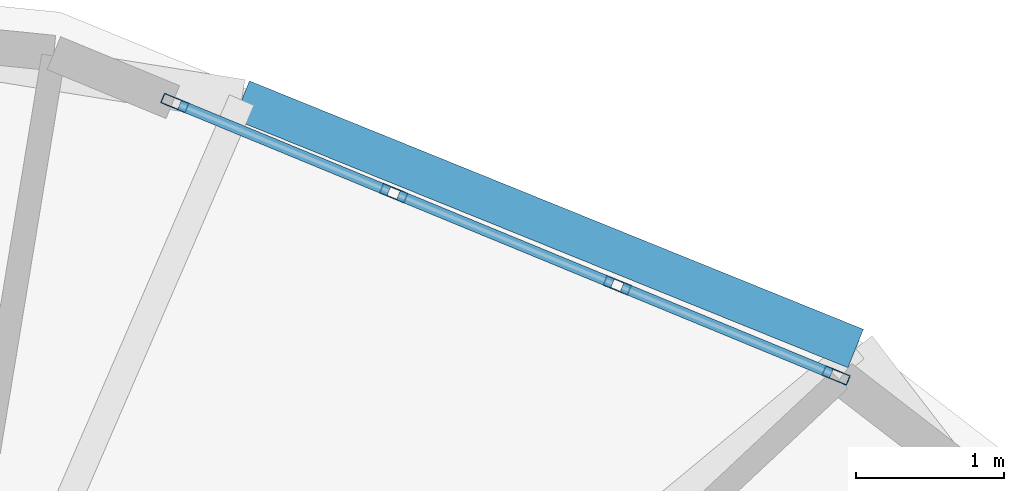
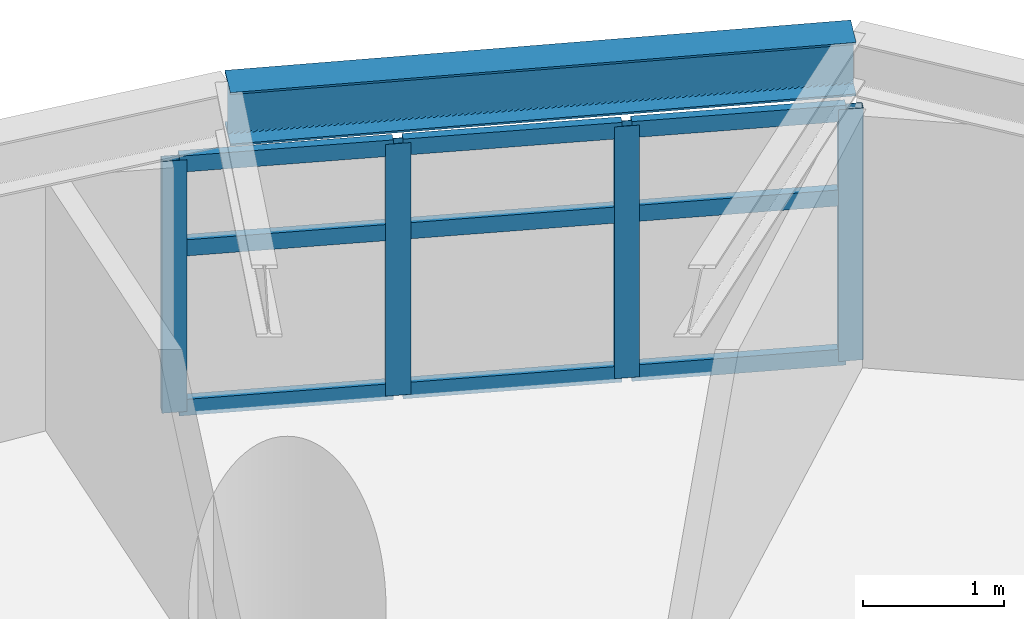
# One storey, part 7 of 18: 13 members, 1 beam, 1 element without a shape of its own.
"""IFC4 building model written with IfcOpenShell, lengths in metres."""

from ifc_helpers import new_model, si_unit, direction, frame, origin, origin_2d, place, context, subcontext, project, spatial, hollow_rectangle, i_section, extrude, material, layer, layer_set, material_profile, profile_set, type_object, element, aggregate, save


model = new_model("IFC4")

# Units and contexts
model_context = context("Model", 3, precision=1e-05, world=origin(), true_north=direction((0.0, 1.0)))
body_context = subcontext(model_context, "Body", "Model", "MODEL_VIEW")
ifc_project = project(units=[si_unit("LENGTHUNIT", "METRE"), si_unit("AREAUNIT", "SQUARE_METRE"), si_unit("VOLUMEUNIT", "CUBIC_METRE"), si_unit("PLANEANGLEUNIT", "RADIAN"), si_unit("MASSUNIT", "GRAM", prefix="KILO")], contexts=[model_context])

# Site, building, storey
site_placement = place(None, origin())
site = spatial("IfcSite", under=ifc_project, at=site_placement, CompositionType="ELEMENT")
building_placement = place(site_placement, origin())
building = spatial("IfcBuilding", under=site, at=building_placement, Name="Cununo Teusaquillo Station Towers", CompositionType="ELEMENT")
storey_placement = place(building_placement, frame((0.0, 0.0, 110.889892578125)))
storey = spatial("IfcBuildingStorey", under=building, at=storey_placement, Name="L35", CompositionType="ELEMENT", Elevation=110.889892578125)

# Beam
ifc_material_1 = material(Name="Steel ASTM A572 Grade 50", Category="steel")
ifc_material_profile_1 = material_profile(ifc_material_1, i_section(OverallWidth=0.280029296875, OverallDepth=0.462890625, WebThickness=0.0107421875, FlangeThickness=0.017333984375, FilletRadius=0.013916015625, at=origin_2d()), Name="W18X76")
ifc_profile_set_1 = profile_set([ifc_material_profile_1], Name="Steel ASTM A572 Grade 50")
beam_type = type_object("IfcBeamType", Name="BM-RING-Z2", PredefinedType="SPANDREL", material=ifc_profile_set_1)
beam_placement = place(storey_placement, frame((63.9111328125, 39.341064453125, 2.438720703125), z_axis=(-0.927007712072, 0.375042266631, 0.0), x_axis=(-0.375042266631, -0.927007712072, 0.0)))
element("IfcBeam", 1, at=beam_placement, inside=storey, type_object=beam_type, Name="L35 Tower B Spandrel Ring Beam 02", PredefinedType="SPANDREL", context=body_context, shape_type="SweptSolid", body=[
    extrude(i_section(OverallWidth=0.280029296875, OverallDepth=0.462890625, WebThickness=0.0107421875, FlangeThickness=0.017333984375, FilletRadius=0.013916015625, at=origin_2d()), origin(), (0.0, 0.0, 1.0), 4.480712890625),
])

# Curtain wall, members
ifc_material_2 = material(Name="Ceramic-fritted dark low-E double glazing", Category="glass")
ifc_layer = layer(ifc_material_2, 0.179931640625)
ifc_layer_set = layer_set([ifc_layer], Name="Ceramic-fritted dark low-E double glazing")
curtain_wall_type = type_object("IfcCurtainWallType", Name="CW-SYS-04", PredefinedType="USERDEFINED", material=ifc_layer_set)
curtain_wall_placement = place(storey_placement, origin())
curtain_wall = element("IfcCurtainWall", 2, at=curtain_wall_placement, inside=storey, type_object=curtain_wall_type, Name="L35 Tower B Facade Curtain Wall C01", ObjectType="FRITTED GLAZING", PredefinedType="USERDEFINED")
ifc_material_3 = material(Name="Anodised dark bronze aluminium EN AW-6063-T6", Category="aluminium")
ifc_material_profile_2 = material_profile(ifc_material_3, hollow_rectangle(XDim=0.070068359375, YDim=0.179931640625, WallThickness=0.00390625, at=origin_2d()), Name="CW-MULL-70x180")
ifc_profile_set_2 = profile_set([ifc_material_profile_2], Name="Anodised dark bronze aluminium EN AW-6063-T6")
member_type_1 = type_object("IfcMemberType", Name="CWM-180", PredefinedType="MULLION", material=ifc_profile_set_2)
member_1_placement = place(storey_placement, frame((59.3056640625, 41.001953125, 0.0), z_axis=(0.0, 0.0, 1.0), x_axis=(0.381030560176, 0.924562443652, 0.0)))
member_1 = element("IfcMember", 3, at=member_1_placement, type_object=member_type_1, Name="CW-04 mullion 1", PredefinedType="MULLION", context=body_context, shape_type="SweptSolid", body=[
    extrude(hollow_rectangle(XDim=0.070068359375, YDim=0.179931640625, WallThickness=0.00390625, at=origin_2d()), origin(), (0.0, 0.0, 1.0), 2.17919921875),
])
member_2_placement = place(storey_placement, frame((60.785888671875, 40.39208984375, 0.0), z_axis=(0.0, 0.0, 1.0), x_axis=(0.381030560176, 0.924562443652, 0.0)))
member_2 = element("IfcMember", 4, at=member_2_placement, type_object=member_type_1, Name="CW-04 mullion 2", PredefinedType="MULLION", context=body_context, shape_type="SweptSolid", body=[
    extrude(hollow_rectangle(XDim=0.070068359375, YDim=0.179931640625, WallThickness=0.00390625, at=origin_2d()), origin(), (0.0, 0.0, 1.0), 2.17919921875),
])
member_3_placement = place(storey_placement, frame((62.298583984375, 39.7685546875, 0.0), z_axis=(0.0, 0.0, 1.0), x_axis=(0.381030560176, 0.924562443652, 0.0)))
member_3 = element("IfcMember", 5, at=member_3_placement, type_object=member_type_1, Name="CW-04 mullion 3", PredefinedType="MULLION", context=body_context, shape_type="SweptSolid", body=[
    extrude(hollow_rectangle(XDim=0.070068359375, YDim=0.179931640625, WallThickness=0.00390625, at=origin_2d()), origin(), (0.0, 0.0, 1.0), 2.17919921875),
])
member_4_placement = place(storey_placement, frame((63.77880859375, 39.158447265625, 0.0), z_axis=(0.0, 0.0, 1.0), x_axis=(0.381030560176, 0.924562443652, 0.0)))
member_4 = element("IfcMember", 6, at=member_4_placement, type_object=member_type_1, Name="CW-04 mullion 4", PredefinedType="MULLION", context=body_context, shape_type="SweptSolid", body=[
    extrude(hollow_rectangle(XDim=0.070068359375, YDim=0.179931640625, WallThickness=0.00390625, at=origin_2d()), origin(), (0.0, 0.0, 1.0), 2.17919921875),
])
ifc_material_4 = material(Name="Anodised dark bronze aluminium EN AW-6063-T6", Category="aluminium")
ifc_material_profile_3 = material_profile(ifc_material_4, hollow_rectangle(XDim=0.070068359375, YDim=0.139892578125, WallThickness=0.00390625, at=origin_2d()), Name="CW-TRAN-70x140")
ifc_profile_set_3 = profile_set([ifc_material_profile_3], Name="Anodised dark bronze aluminium EN AW-6063-T6")
member_type_2 = type_object("IfcMemberType", Name="CWT-140", PredefinedType="USERDEFINED", material=ifc_profile_set_3)
member_5_placement = place(storey_placement, frame((59.337890625, 40.98876953125, 0.03515625), z_axis=(0.924532726965, -0.381102659097, 0.0), x_axis=(0.381102659097, 0.924532726965, 0.0)))
member_5 = element("IfcMember", 7, at=member_5_placement, type_object=member_type_2, Name="CW-04 transom 1.1", ObjectType="TRANSOM", PredefinedType="USERDEFINED", context=body_context, shape_type="SweptSolid", body=[
    extrude(hollow_rectangle(XDim=0.070068359375, YDim=0.139892578125, WallThickness=0.00390625, at=origin_2d()), origin(), (0.0, 0.0, 1.0), 1.531005859375),
])
member_6_placement = place(storey_placement, frame((59.337890625, 40.98876953125, 1.416015625), z_axis=(0.924532726965, -0.381102659097, 0.0), x_axis=(0.381102659097, 0.924532726965, 0.0)))
member_6 = element("IfcMember", 8, at=member_6_placement, type_object=member_type_2, Name="CW-04 transom 1.2", ObjectType="TRANSOM", PredefinedType="USERDEFINED", context=body_context, shape_type="SweptSolid", body=[
    extrude(hollow_rectangle(XDim=0.070068359375, YDim=0.139892578125, WallThickness=0.00390625, at=origin_2d()), origin(), (0.0, 0.0, 1.0), 1.531005859375),
])
member_7_placement = place(storey_placement, frame((59.337890625, 40.98876953125, 2.14404296875), z_axis=(0.924532726965, -0.381102659097, 0.0), x_axis=(0.381102659097, 0.924532726965, 0.0)))
member_7 = element("IfcMember", 9, at=member_7_placement, type_object=member_type_2, Name="CW-04 transom 1.3", ObjectType="TRANSOM", PredefinedType="USERDEFINED", context=body_context, shape_type="SweptSolid", body=[
    extrude(hollow_rectangle(XDim=0.070068359375, YDim=0.139892578125, WallThickness=0.00390625, at=origin_2d()), origin(), (0.0, 0.0, 1.0), 1.531005859375),
])
member_8_placement = place(storey_placement, frame((60.818115234375, 40.378662109375, 0.03515625), z_axis=(0.924577983912, -0.380992849887, 0.0), x_axis=(0.380992849887, 0.924577983912, 0.0)))
member_8 = element("IfcMember", 10, at=member_8_placement, type_object=member_type_2, Name="CW-04 transom 2.1", ObjectType="TRANSOM", PredefinedType="USERDEFINED", context=body_context, shape_type="SweptSolid", body=[
    extrude(hollow_rectangle(XDim=0.070068359375, YDim=0.139892578125, WallThickness=0.00390625, at=origin_2d()), origin(), (0.0, 0.0, 1.0), 1.566162109375),
])
member_9_placement = place(storey_placement, frame((60.818115234375, 40.378662109375, 1.416015625), z_axis=(0.924577983912, -0.380992849887, 0.0), x_axis=(0.380992849887, 0.924577983912, 0.0)))
member_9 = element("IfcMember", 11, at=member_9_placement, type_object=member_type_2, Name="CW-04 transom 2.2", ObjectType="TRANSOM", PredefinedType="USERDEFINED", context=body_context, shape_type="SweptSolid", body=[
    extrude(hollow_rectangle(XDim=0.070068359375, YDim=0.139892578125, WallThickness=0.00390625, at=origin_2d()), origin(), (0.0, 0.0, 1.0), 1.566162109375),
])
member_10_placement = place(storey_placement, frame((60.818115234375, 40.378662109375, 2.14404296875), z_axis=(0.924577983912, -0.380992849887, 0.0), x_axis=(0.380992849887, 0.924577983912, 0.0)))
member_10 = element("IfcMember", 12, at=member_10_placement, type_object=member_type_2, Name="CW-04 transom 2.3", ObjectType="TRANSOM", PredefinedType="USERDEFINED", context=body_context, shape_type="SweptSolid", body=[
    extrude(hollow_rectangle(XDim=0.070068359375, YDim=0.139892578125, WallThickness=0.00390625, at=origin_2d()), origin(), (0.0, 0.0, 1.0), 1.566162109375),
])
member_11_placement = place(storey_placement, frame((62.330810546875, 39.75537109375, 0.03515625), z_axis=(0.924555881283, -0.381046483233, 0.0), x_axis=(0.381046483233, 0.924555881283, 0.0)))
member_11 = element("IfcMember", 13, at=member_11_placement, type_object=member_type_2, Name="CW-04 transom 3.1", ObjectType="TRANSOM", PredefinedType="USERDEFINED", context=body_context, shape_type="SweptSolid", body=[
    extrude(hollow_rectangle(XDim=0.070068359375, YDim=0.139892578125, WallThickness=0.00390625, at=origin_2d()), origin(), (0.0, 0.0, 1.0), 1.53125),
])
member_12_placement = place(storey_placement, frame((62.330810546875, 39.75537109375, 1.416015625), z_axis=(0.924555881283, -0.381046483233, 0.0), x_axis=(0.381046483233, 0.924555881283, 0.0)))
member_12 = element("IfcMember", 14, at=member_12_placement, type_object=member_type_2, Name="CW-04 transom 3.2", ObjectType="TRANSOM", PredefinedType="USERDEFINED", context=body_context, shape_type="SweptSolid", body=[
    extrude(hollow_rectangle(XDim=0.070068359375, YDim=0.139892578125, WallThickness=0.00390625, at=origin_2d()), origin(), (0.0, 0.0, 1.0), 1.53125),
])
member_13_placement = place(storey_placement, frame((62.330810546875, 39.75537109375, 2.14404296875), z_axis=(0.924555881283, -0.381046483233, 0.0), x_axis=(0.381046483233, 0.924555881283, 0.0)))
member_13 = element("IfcMember", 15, at=member_13_placement, type_object=member_type_2, Name="CW-04 transom 3.3", ObjectType="TRANSOM", PredefinedType="USERDEFINED", context=body_context, shape_type="SweptSolid", body=[
    extrude(hollow_rectangle(XDim=0.070068359375, YDim=0.139892578125, WallThickness=0.00390625, at=origin_2d()), origin(), (0.0, 0.0, 1.0), 1.53125),
])
aggregate(curtain_wall, [member_1, member_2, member_3, member_4, member_5, member_6, member_7, member_8, member_9, member_10, member_11, member_12, member_13])

save(model, "model.ifc")
